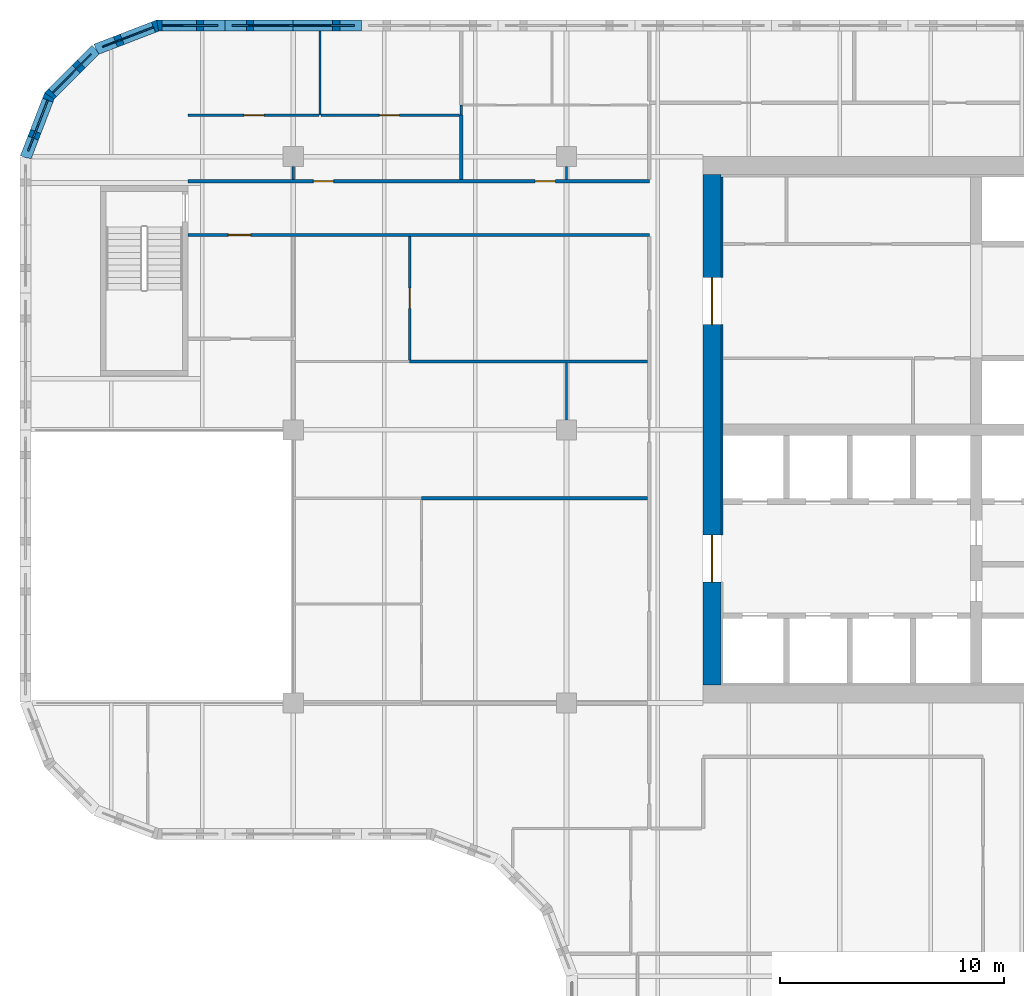
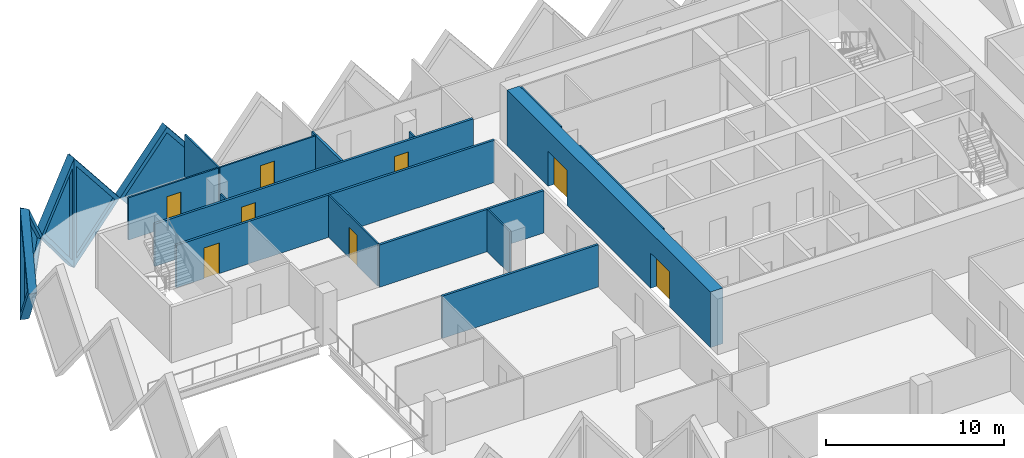
# One storey, part 8 of 21: 21 walls, 8 doors, 5 plates, 13 openings.
"""IFC4 building model written with IfcOpenShell, lengths in metres."""

from ifc_helpers import new_model, si_unit, direction, frame, frame_2d, origin, place, context, subcontext, project, spatial, polyline, rectangle, outline, extrude, faceted_brep, source, transform, mapped, material, layer, layer_set, type_object, element, fill, save


model = new_model("IFC4")

# Units and contexts
model_context = context("Model", 3, precision=1e-05, world=origin(), true_north=direction((0.0, 1.0)))
body_context = subcontext(model_context, "Body", "Model", "MODEL_VIEW")
ifc_project = project(units=[si_unit("LENGTHUNIT", "METRE"), si_unit("AREAUNIT", "SQUARE_METRE"), si_unit("VOLUMEUNIT", "CUBIC_METRE"), si_unit("PLANEANGLEUNIT", "RADIAN"), si_unit("MASSUNIT", "GRAM", prefix="KILO")], contexts=[model_context])

# Site, building, storey
site_placement = place(None, origin())
site = spatial("IfcSite", under=ifc_project, at=site_placement, CompositionType="ELEMENT")
building_placement = place(site_placement, origin())
building = spatial("IfcBuilding", under=site, at=building_placement, Name="Tessera Gate Towers", CompositionType="ELEMENT")
storey_placement = place(building_placement, frame((0.0, 0.0, 91.39990234375)))
storey = spatial("IfcBuildingStorey", under=building, at=storey_placement, Name="L22", CompositionType="ELEMENT", Elevation=91.39990234375)

# Wall, openings, doors
ifc_material_1 = material(Name="Concrete C60/75", Category="concrete")
ifc_layer_1 = layer(ifc_material_1, 0.800048828125)
ifc_layer_set_1 = layer_set([ifc_layer_1], Name="CORE SHEAR WALL 800 C60/75")
wall_type_1 = type_object("IfcWallType", Name="CORE SHEAR WALL 800 C60/75", PredefinedType="SHEAR", material=ifc_layer_set_1)
wall_1_placement = place(storey_placement, frame((30.89990234375, 25.199951171875, 0.0), z_axis=(0.0, 0.0, 1.0), x_axis=(0.0, 1.0, 0.0)))
wall_1 = element("IfcWall", 1, at=wall_1_placement, inside=storey, type_object=wall_type_1, Name="Core wall W L22", PredefinedType="SHEAR", context=body_context, shape_type="SweptSolid", body=[
    extrude(rectangle(XDim=22.800048828125, YDim=0.800048828125, at=frame_2d((11.39990234375, 0.0))), origin(), (0.0, 0.0, 1.0), 3.800048828125),
])
shared_shape_1 = source(origin(), body_context, "Body", "SweptSolid", [
    extrude(rectangle(XDim=2.10009765625, YDim=2.39990234375, at=frame_2d((1.050048828125, 1.199951171875))), frame((0.0, 0.409912109375, 0.0), z_axis=(0.0, -1.0, 0.0), x_axis=(1.0, 0.0, 0.0)), (0.0, 0.0, 1.0), 0.820068359375),
])
opening_1_placement = place(wall_1_placement, frame((4.60009765625, 0.0, 0.0)))
opening_1 = element("IfcOpeningElement", 2, at=opening_1_placement, cuts=wall_1, Name="Opening DD-T1-15-02", PredefinedType="OPENING", context=body_context, shape_type="MappedRepresentation", body=[
    mapped(shared_shape_1, transform((0.0, 0.0, 0.0), scale=1.0)),
])
opening_2_placement = place(wall_1_placement, frame((16.10009765625, 0.0, 0.0)))
opening_2 = element("IfcOpeningElement", 3, at=opening_2_placement, cuts=wall_1, Name="Opening DD-T1-15-03", PredefinedType="OPENING", context=body_context, shape_type="MappedRepresentation", body=[
    mapped(shared_shape_1, transform((0.0, 0.0, 0.0), scale=1.0)),
])
ifc_material_2 = material(Name="Hollow steel fire door", Category="steel")
door_type_1 = type_object("IfcDoorType", Name="CORE DOOR DD 2100x2400", OperationType="NOTDEFINED", PredefinedType="DOOR", material=ifc_material_2)
shared_shape_2 = source(origin(), body_context, "Body", "SweptSolid", [
    extrude(rectangle(XDim=2.10009765625, YDim=2.39990234375, at=frame_2d((1.050048828125, 1.199951171875))), frame((0.0, 0.02490234375, 0.0), z_axis=(0.0, -1.0, 0.0), x_axis=(1.0, 0.0, 0.0)), (0.0, 0.0, 1.0), 0.050048828125),
])
door_1_placement = place(opening_1_placement, origin())
door_1 = element("IfcDoor", 4, at=door_1_placement, inside=storey, type_object=door_type_1, Name="Core entrance door", OperationType="DOUBLE_DOOR_SINGLE_SWING", OverallHeight=2.39990234375, OverallWidth=2.10009765625, PredefinedType="DOOR", context=body_context, shape_type="MappedRepresentation", body=[
    mapped(shared_shape_2, transform((0.0, 0.0, 0.0), scale=1.0)),
])
fill(opening_1, door_1)
door_2_placement = place(opening_2_placement, origin())
door_2 = element("IfcDoor", 5, at=door_2_placement, inside=storey, type_object=door_type_1, Name="Core entrance door", OperationType="DOUBLE_DOOR_SINGLE_SWING", OverallHeight=2.39990234375, OverallWidth=2.10009765625, PredefinedType="DOOR", context=body_context, shape_type="MappedRepresentation", body=[
    mapped(shared_shape_2, transform((0.0, 0.0, 0.0), scale=1.0)),
])
fill(opening_2, door_2)

# Walls
ifc_material_3 = material(Name="Concrete C60/75", Category="concrete")
ifc_layer_2 = layer(ifc_material_3, 0.10009765625)
ifc_layer_set_2 = layer_set([ifc_layer_2], Name="CORE WALL THICKENING 100")
wall_type_2 = type_object("IfcWallType", Name="CORE WALL THICKENING 100", PredefinedType="SOLIDWALL", material=ifc_layer_set_2)
wall_2_placement = place(storey_placement, frame((31.35009765625, 31.89990234375, 0.0), z_axis=(0.0, 0.0, 1.0), x_axis=(0.0, 1.0, 0.0)))
element("IfcWall", 6, at=wall_2_placement, inside=storey, type_object=wall_type_2, Name="Core wall thickening W L22", PredefinedType="SOLIDWALL", context=body_context, shape_type="SweptSolid", body=[
    extrude(rectangle(XDim=9.400146484375, YDim=0.10009765625, at=frame_2d((4.7001953125, 0.0))), origin(), (0.0, 0.0, 1.0), 3.800048828125),
])
wall_3_placement = place(storey_placement, frame((31.35009765625, 43.39990234375, 0.0), z_axis=(0.0, 0.0, 1.0), x_axis=(0.0, 1.0, 0.0)))
element("IfcWall", 7, at=wall_3_placement, inside=storey, type_object=wall_type_2, Name="Core wall thickening W L22", PredefinedType="SOLIDWALL", context=body_context, shape_type="SweptSolid", body=[
    extrude(rectangle(XDim=4.5, YDim=0.10009765625, at=frame_2d((2.25, 0.0))), origin(), (0.0, 0.0, 1.0), 3.800048828125),
])

# Wall, opening, door
ifc_material_4 = material(Name="Gypsum board on steel studs, mineral wool", Category="steel")
ifc_layer_3 = layer(ifc_material_4, 0.14990234375)
ifc_layer_set_3 = layer_set([ifc_layer_3], Name="CORRIDOR WALL 150")
wall_type_3 = type_object("IfcWallType", Name="CORRIDOR WALL 150", PredefinedType="PARTITIONING", material=ifc_layer_set_3)
wall_4_placement = place(storey_placement, frame((28.10009765625, 45.300048828125, 0.0), z_axis=(0.0, 0.0, 1.0), x_axis=(-1.0, 0.0, 0.0)))
wall_4 = element("IfcWall", 8, at=wall_4_placement, inside=storey, type_object=wall_type_3, Name="T1-L22-PW-041", PredefinedType="PARTITIONING", context=body_context, shape_type="SweptSolid", body=[
    extrude(rectangle(XDim=20.60009765625, YDim=0.14990234375, at=frame_2d((10.300048828125, 0.0))), origin(), (0.0, 0.0, 1.0), 2.89501953125),
])
shared_shape_3 = source(origin(), body_context, "Body", "SweptSolid", [
    extrude(rectangle(XDim=1.0, YDim=2.10009765625, at=frame_2d((0.5, 1.050048828125))), frame((0.0, 0.0849609375, 0.0), z_axis=(0.0, -1.0, 0.0), x_axis=(1.0, 0.0, 0.0)), (0.0, 0.0, 1.0), 0.169921875),
])
opening_3_placement = place(wall_4_placement, frame((17.800048828125, 0.0, 0.0)))
opening_3 = element("IfcOpeningElement", 9, at=opening_3_placement, cuts=wall_4, Name="Opening D2100FD60-A08-01", PredefinedType="OPENING", context=body_context, shape_type="MappedRepresentation", body=[
    mapped(shared_shape_3, transform((0.0, 0.0, 0.0), scale=1.0)),
])
ifc_material_5 = material(Name="Timber door leaf in steel frame", Category="steel")
door_type_2 = type_object("IfcDoorType", Name="TENANCY ENTRANCE DOOR 1000 FD60", OperationType="NOTDEFINED", PredefinedType="DOOR", material=ifc_material_5)
shared_shape_4 = source(origin(), body_context, "Body", "SweptSolid", [
    extrude(rectangle(XDim=1.0, YDim=2.10009765625, at=frame_2d((0.5, 1.050048828125))), frame((0.0, 0.02490234375, 0.0), z_axis=(0.0, -1.0, 0.0), x_axis=(1.0, 0.0, 0.0)), (0.0, 0.0, 1.0), 0.050048828125),
])
door_3_placement = place(opening_3_placement, origin())
door_3 = element("IfcDoor", 10, at=door_3_placement, inside=storey, type_object=door_type_2, Name="T1-L22-PD-007", OperationType="SINGLE_SWING_RIGHT", OverallHeight=2.10009765625, OverallWidth=1.0, PredefinedType="DOOR", context=body_context, shape_type="MappedRepresentation", body=[
    mapped(shared_shape_4, transform((0.0, 0.0, 0.0), scale=1.0)),
])
fill(opening_3, door_3)

# Wall, openings, doors
wall_5_placement = place(storey_placement, frame((7.5, 47.699951171875, 0.0), z_axis=(0.0, 0.0, 1.0), x_axis=(1.0, 0.0, 0.0)))
wall_5 = element("IfcWall", 11, at=wall_5_placement, inside=storey, type_object=wall_type_3, Name="T1-L22-PW-042", PredefinedType="PARTITIONING", context=body_context, shape_type="SweptSolid", body=[
    extrude(rectangle(XDim=20.60009765625, YDim=0.14990234375, at=frame_2d((10.300048828125, 0.0))), origin(), (0.0, 0.0, 1.0), 2.89501953125),
])
shared_shape_5 = source(origin(), body_context, "Body", "SweptSolid", [
    extrude(rectangle(XDim=0.89990234375, YDim=2.10009765625, at=frame_2d((0.449951171875, 1.050048828125))), frame((0.0, 0.0849609375, 0.0), z_axis=(0.0, -1.0, 0.0), x_axis=(1.0, 0.0, 0.0)), (0.0, 0.0, 1.0), 0.169921875),
])
opening_4_placement = place(wall_5_placement, frame((15.5009765625, 0.0, 0.0)))
opening_4 = element("IfcOpeningElement", 12, at=opening_4_placement, cuts=wall_5, Name="Opening D890FD60-A08-05", PredefinedType="OPENING", context=body_context, shape_type="MappedRepresentation", body=[
    mapped(shared_shape_5, transform((0.0, 0.0, 0.0), scale=1.0)),
])
opening_5_placement = place(wall_5_placement, frame((5.60009765625, 0.0, 0.0)))
opening_5 = element("IfcOpeningElement", 13, at=opening_5_placement, cuts=wall_5, Name="Opening D890FD60-A08-12", PredefinedType="OPENING", context=body_context, shape_type="MappedRepresentation", body=[
    mapped(shared_shape_5, transform((0.0, 0.0, 0.0), scale=1.0)),
])
ifc_material_6 = material(Name="Timber door leaf in steel frame", Category="steel")
door_type_3 = type_object("IfcDoorType", Name="CORRIDOR DOOR 900 FD60", OperationType="NOTDEFINED", PredefinedType="DOOR", material=ifc_material_6)
shared_shape_6 = source(origin(), body_context, "Body", "SweptSolid", [
    extrude(rectangle(XDim=0.89990234375, YDim=2.10009765625, at=frame_2d((0.449951171875, 1.050048828125))), frame((0.0, 0.02490234375, 0.0), z_axis=(0.0, -1.0, 0.0), x_axis=(1.0, 0.0, 0.0)), (0.0, 0.0, 1.0), 0.050048828125),
])
door_4_placement = place(opening_4_placement, origin())
door_4 = element("IfcDoor", 14, at=door_4_placement, inside=storey, type_object=door_type_3, Name="T1-L22-PD-020", OperationType="SINGLE_SWING_RIGHT", OverallHeight=2.10009765625, OverallWidth=0.89990234375, PredefinedType="DOOR", context=body_context, shape_type="MappedRepresentation", body=[
    mapped(shared_shape_6, transform((0.0, 0.0, 0.0), scale=1.0)),
])
fill(opening_4, door_4)
door_5_placement = place(opening_5_placement, origin())
door_5 = element("IfcDoor", 15, at=door_5_placement, inside=storey, type_object=door_type_3, Name="T1-L22-PD-027", OperationType="SINGLE_SWING_LEFT", OverallHeight=2.10009765625, OverallWidth=0.89990234375, PredefinedType="DOOR", context=body_context, shape_type="MappedRepresentation", body=[
    mapped(shared_shape_6, transform((0.0, 0.0, 0.0), scale=1.0)),
])
fill(opening_5, door_5)

# Wall, opening, door
ifc_material_7 = material(Name="Glass", Category="glass")
ifc_layer_4 = layer(ifc_material_7, 0.10009765625)
ifc_layer_set_4 = layer_set([ifc_layer_4], Name="GLAZED PARTITION 100")
wall_type_4 = type_object("IfcWallType", Name="GLAZED PARTITION 100", PredefinedType="PARTITIONING", material=ifc_layer_set_4)
wall_6_placement = place(storey_placement, frame((17.39990234375, 39.72607421875, 0.0), z_axis=(0.0, 0.0, 1.0), x_axis=(0.0, 1.0, 0.0)))
wall_6 = element("IfcWall", 16, at=wall_6_placement, inside=storey, type_object=wall_type_4, Name="T1-L22-PW-038", PredefinedType="PARTITIONING", context=body_context, shape_type="SweptSolid", body=[
    extrude(rectangle(XDim=5.498046875, YDim=0.10009765625, at=frame_2d((2.7490234375, 0.0))), origin(), (0.0, 0.0, 1.0), 2.89501953125),
])
shared_shape_7 = source(origin(), body_context, "Body", "SweptSolid", [
    extrude(rectangle(XDim=0.89990234375, YDim=2.10009765625, at=frame_2d((0.449951171875, 1.050048828125))), frame((0.0, 0.06005859375, 0.0), z_axis=(0.0, -1.0, 0.0), x_axis=(1.0, 0.0, 0.0)), (0.0, 0.0, 1.0), 0.1201171875),
])
opening_6_placement = place(wall_6_placement, frame((2.300048828125, 0.0, 0.0)))
opening_6 = element("IfcOpeningElement", 17, at=opening_6_placement, cuts=wall_6, Name="Opening D690-A08-06", PredefinedType="OPENING", context=body_context, shape_type="MappedRepresentation", body=[
    mapped(shared_shape_7, transform((0.0, 0.0, 0.0), scale=1.0)),
])
ifc_material_8 = material(Name="Glass in aluminium frame", Category="aluminium")
door_type_4 = type_object("IfcDoorType", Name="GLAZED DOOR 900 NOT RATED", OperationType="NOTDEFINED", PredefinedType="DOOR", material=ifc_material_8)
door_6_placement = place(opening_6_placement, origin())
door_6 = element("IfcDoor", 18, at=door_6_placement, inside=storey, type_object=door_type_4, Name="T1-L22-PD-011", OperationType="SINGLE_SWING_LEFT", OverallHeight=2.10009765625, OverallWidth=0.89990234375, PredefinedType="DOOR", context=body_context, shape_type="MappedRepresentation", body=[
    mapped(shared_shape_6, transform((0.0, 0.0, 0.0), scale=1.0)),
])
fill(opening_6, door_6)

wall_7_placement = place(storey_placement, frame((7.5, 50.64990234375, 0.0), z_axis=(0.0, 0.0, 1.0), x_axis=(1.0, 0.0, 0.0)))
wall_7 = element("IfcWall", 19, at=wall_7_placement, inside=storey, type_object=wall_type_4, Name="T1-L22-PW-047", PredefinedType="PARTITIONING", context=body_context, shape_type="SweptSolid", body=[
    extrude(rectangle(XDim=5.8427734375, YDim=0.10009765625, at=frame_2d((2.92138671875, 0.0))), origin(), (0.0, 0.0, 1.0), 2.89501953125),
])
opening_7_placement = place(wall_7_placement, frame((2.5, 0.0, 0.0)))
opening_7 = element("IfcOpeningElement", 20, at=opening_7_placement, cuts=wall_7, Name="Opening D690-A08-07", PredefinedType="OPENING", context=body_context, shape_type="MappedRepresentation", body=[
    mapped(shared_shape_7, transform((0.0, 0.0, 0.0), scale=1.0)),
])
door_7_placement = place(opening_7_placement, origin())
door_7 = element("IfcDoor", 21, at=door_7_placement, inside=storey, type_object=door_type_4, Name="T1-L22-PD-013", OperationType="SINGLE_SWING_LEFT", OverallHeight=2.10009765625, OverallWidth=0.89990234375, PredefinedType="DOOR", context=body_context, shape_type="MappedRepresentation", body=[
    mapped(shared_shape_6, transform((0.0, 0.0, 0.0), scale=1.0)),
])
fill(opening_7, door_7)

wall_8_placement = place(storey_placement, frame((13.444580078125, 50.64990234375, 0.0), z_axis=(0.0, 0.0, 1.0), x_axis=(1.0, 0.0, 0.0)))
wall_8 = element("IfcWall", 22, at=wall_8_placement, inside=storey, type_object=wall_type_4, Name="T1-L22-PW-049", PredefinedType="PARTITIONING", context=body_context, shape_type="SweptSolid", body=[
    extrude(rectangle(XDim=6.179443359375, YDim=0.10009765625, at=frame_2d((3.08984375, 0.0))), origin(), (0.0, 0.0, 1.0), 2.89501953125),
])
opening_8_placement = place(wall_8_placement, frame((2.60009765625, 0.0, 0.0)))
opening_8 = element("IfcOpeningElement", 23, at=opening_8_placement, cuts=wall_8, Name="Opening D690-A08-09", PredefinedType="OPENING", context=body_context, shape_type="MappedRepresentation", body=[
    mapped(shared_shape_7, transform((0.0, 0.0, 0.0), scale=1.0)),
])
door_8_placement = place(opening_8_placement, origin())
door_8 = element("IfcDoor", 24, at=door_8_placement, inside=storey, type_object=door_type_4, Name="T1-L22-PD-017", OperationType="SINGLE_SWING_LEFT", OverallHeight=2.10009765625, OverallWidth=0.89990234375, PredefinedType="DOOR", context=body_context, shape_type="MappedRepresentation", body=[
    mapped(shared_shape_6, transform((0.0, 0.0, 0.0), scale=1.0)),
])
fill(opening_8, door_8)

# Walls
wall_9_placement = place(storey_placement, frame((19.699951171875, 50.65087890625, 0.0), z_axis=(0.0, 0.0, 1.0), x_axis=(0.0, 1.0, 0.0)))
element("IfcWall", 25, at=wall_9_placement, inside=storey, type_object=wall_type_4, Name="T1-L22-PW-050", PredefinedType="PARTITIONING", context=body_context, shape_type="SweptSolid", body=[
    extrude(rectangle(XDim=0.4482421875, YDim=0.10009765625, at=frame_2d((0.22412109375, 0.0))), origin(), (0.0, 0.0, 1.0), 2.89501953125),
])
ifc_material_9 = material(Name="Gypsum board on steel studs", Category="steel")
ifc_layer_5 = layer(ifc_material_9, 0.10009765625)
ifc_layer_set_5 = layer_set([ifc_layer_5], Name="PARTITION 100")
wall_type_5 = type_object("IfcWallType", Name="PARTITION 100", PredefinedType="PARTITIONING", material=ifc_layer_set_5)
wall_10_placement = place(storey_placement, frame((24.39990234375, 37.050048828125, 0.0), z_axis=(0.0, 0.0, 1.0), x_axis=(0.0, 1.0, 0.0)))
element("IfcWall", 26, at=wall_10_placement, inside=storey, type_object=wall_type_5, Name="T1-L22-PW-035", PredefinedType="PARTITIONING", context=body_context, shape_type="SweptSolid", body=[
    extrude(rectangle(XDim=2.52490234375, YDim=0.10009765625, at=frame_2d((1.262451171875, 0.0))), origin(), (0.0, 0.0, 1.0), 2.89501953125),
])
for number, where, z_axis, x_axis, name in (
    (27, (12.199951171875, 48.35009765625, 0.0), (0.0, 0.0, 1.0), (0.0, -1.0, 0.0), "T1-L22-PW-045"),
    (28, (24.39990234375, 48.35009765625, 0.0), (0.0, 0.0, 1.0), (0.0, -1.0, 0.0), "T1-L22-PW-046"),
):
    element("IfcWall", number, at=place(storey_placement, frame(where, z_axis=z_axis, x_axis=x_axis)), inside=storey, type_object=wall_type_5, Name=name, PredefinedType="PARTITIONING", context=body_context, shape_type="SweptSolid", body=[
        extrude(rectangle(XDim=0.5751953125, YDim=0.10009765625, at=frame_2d((0.28759765625, 0.0))), origin(), (0.0, 0.0, 1.0), 2.89501953125),
    ])
wall_11_placement = place(storey_placement, frame((13.39404296875, 50.64990234375, 0.0), z_axis=(0.0, 0.0, 1.0), x_axis=(0.0, 1.0, 0.0)))
element("IfcWall", 29, at=wall_11_placement, inside=storey, type_object=wall_type_5, Name="T1-L22-PW-048", PredefinedType="PARTITIONING", context=body_context, shape_type="SweptSolid", body=[
    extrude(rectangle(XDim=3.75, YDim=0.10009765625, at=frame_2d((1.875, 0.0))), origin(), (0.0, 0.0, 1.0), 2.89501953125),
])
ifc_material_10 = material(Name="Gypsum board on steel studs, mineral wool", Category="steel")
ifc_layer_6 = layer(ifc_material_10, 0.14990234375)
ifc_layer_set_6 = layer_set([ifc_layer_6], Name="TENANCY WALL 150")
wall_type_6 = type_object("IfcWallType", Name="TENANCY WALL 150", PredefinedType="PARTITIONING", material=ifc_layer_set_6)
wall_12_placement = place(storey_placement, frame((17.925048828125, 33.550048828125, 0.0), z_axis=(0.0, 0.0, 1.0), x_axis=(1.0, 0.0, 0.0)))
element("IfcWall", 30, at=wall_12_placement, inside=storey, type_object=wall_type_6, Name="T1-L22-PW-033", PredefinedType="PARTITIONING", context=body_context, shape_type="SweptSolid", body=[
    extrude(rectangle(XDim=10.098876953125, YDim=0.14990234375, at=frame_2d((5.04931640625, 0.0))), origin(), (0.0, 0.0, 1.0), 2.89501953125),
])
wall_13_placement = place(storey_placement, frame((17.39990234375, 39.64990234375, 0.0), z_axis=(0.0, 0.0, 1.0), x_axis=(1.0, 0.0, 0.0)))
element("IfcWall", 31, at=wall_13_placement, inside=storey, type_object=wall_type_6, Name="T1-L22-PW-037", PredefinedType="PARTITIONING", context=body_context, shape_type="SweptSolid", body=[
    extrude(rectangle(XDim=10.6240234375, YDim=0.14990234375, at=frame_2d((5.31201171875, 0.0))), origin(), (0.0, 0.0, 1.0), 2.89501953125),
])
wall_14_placement = place(storey_placement, frame((19.699951171875, 47.77587890625, 0.0), z_axis=(0.0, 0.0, 1.0), x_axis=(0.0, 1.0, 0.0)))
element("IfcWall", 32, at=wall_14_placement, inside=storey, type_object=wall_type_6, Name="T1-L22-PW-043", PredefinedType="PARTITIONING", context=body_context, shape_type="SweptSolid", body=[
    extrude(rectangle(XDim=2.8740234375, YDim=0.14990234375, at=frame_2d((1.43701171875, 0.0))), origin(), (0.0, 0.0, 1.0), 2.89501953125),
])

# Wall, opening, plate
ifc_material_11 = material(Name="Precast concrete C60/75 white", Category="concrete")
ifc_layer_7 = layer(ifc_material_11, 0.5)
ifc_layer_set_7 = layer_set([ifc_layer_7], Name="TS1 tessera")
wall_type_7 = type_object("IfcWallType", Name="TS1 tessera", PredefinedType="SOLIDWALL", material=ifc_layer_set_7)
shared_shape_8 = source(origin(), body_context, "Body", "SweptSolid", [
    extrude(outline(polyline([(3.050048828125, 0.0), (6.10009765625, 3.7998046875), (3.050048828125, 7.599853515625), (0.0, 3.7998046875), (3.050048828125, 0.0)])), frame((0.0, 0.25, 0.0), z_axis=(0.0, -1.0, 0.0), x_axis=(1.0, 0.0, 0.0)), (0.0, 0.0, 1.0), 0.5),
])
wall_15_placement = place(storey_placement, frame((15.25, 54.64990234375, -3.7998046875), z_axis=(0.0, 0.0, 1.0), x_axis=(-1.0, 0.0, 0.0)))
wall_15 = element("IfcWall", 33, at=wall_15_placement, inside=storey, type_object=wall_type_7, Name="Precast tessera T1 TS1-0361", PredefinedType="SOLIDWALL", context=body_context, shape_type="MappedRepresentation", body=[
    mapped(shared_shape_8, transform((0.0, 0.0, 0.0), scale=1.0)),
])
shared_shape_9 = source(origin(), body_context, "Body", "SweptSolid", [
    extrude(outline(polyline([(3.050048828125, 0.3994140625), (5.779541015625, 3.7998046875), (3.050048828125, 7.200439453125), (0.320556640625, 3.7998046875), (3.050048828125, 0.3994140625)])), frame((0.0, 0.260009765625, 0.0), z_axis=(0.0, -1.0, 0.0), x_axis=(1.0, 0.0, 0.0)), (0.0, 0.0, 1.0), 0.52001953125),
])
opening_9_placement = place(wall_15_placement, origin())
opening_9 = element("IfcOpeningElement", 34, at=opening_9_placement, cuts=wall_15, Name="Opening T1-PL2-0731", PredefinedType="OPENING", context=body_context, shape_type="MappedRepresentation", body=[
    mapped(shared_shape_9, transform((0.0, 0.0, 0.0), scale=1.0)),
])
ifc_material_12 = material(Name="Low-e laminated glass", Category="glass")
ifc_layer_8 = layer(ifc_material_12, 0.06005859375)
ifc_layer_set_8 = layer_set([ifc_layer_8], Name="PL2 rhombic pane")
plate_type = type_object("IfcPlateType", Name="PL2 rhombic pane", PredefinedType="SHEET", material=ifc_layer_set_8)
shared_shape_10 = source(origin(), body_context, "Body", "SweptSolid", [
    extrude(outline(polyline([(3.050048828125, 0.3994140625), (5.779541015625, 3.7998046875), (3.050048828125, 7.200439453125), (0.320556640625, 3.7998046875), (3.050048828125, 0.3994140625)])), frame((0.0, 0.030029296875, 0.0), z_axis=(0.0, -1.0, 0.0), x_axis=(1.0, 0.0, 0.0)), (0.0, 0.0, 1.0), 0.06005859375),
])
plate_1_placement = place(opening_9_placement, origin())
plate_1 = element("IfcPlate", 35, at=plate_1_placement, inside=storey, type_object=plate_type, Name="Glass pane T1 PL2-0731", PredefinedType="SHEET", context=body_context, shape_type="MappedRepresentation", body=[
    mapped(shared_shape_10, transform((0.0, 0.0, 0.0), scale=1.0)),
])
fill(opening_9, plate_1)

ifc_material_13 = material(Name="Precast concrete C60/75 white", Category="concrete")
ifc_layer_9 = layer(ifc_material_13, 0.5)
ifc_layer_set_9 = layer_set([ifc_layer_9], Name="TS3 corner tessera")
wall_type_8 = type_object("IfcWallType", Name="TS3 corner tessera", PredefinedType="SOLIDWALL", material=ifc_layer_set_9)
shared_shape_11 = source(origin(), body_context, "Body", "Brep", [
    faceted_brep([(3.00341796875, -0.25, 0.0), (3.050048828125, -0.25, 0.06005859375), (3.050048828125, -0.25, 7.539794921875), (3.00341796875, -0.25, 7.599853515625), (0.0, -0.25, 3.7998046875), (0.0, 0.25, 3.7998046875), (2.956787109375, 0.25, 7.541015625), (2.956787109375, 0.25, 0.058837890625), (3.00341796875, 0.000244140625, 0.0), (3.00341796875, 0.000244140625, 7.599853515625)], [[[0, 1, 2, 3, 4]], [[5, 6, 7]], [[1, 0, 8]], [[9, 3, 2]], [[6, 5, 4, 3, 9]], [[5, 7, 8, 0, 4]], [[1, 8, 7, 6, 9, 2]]]),
])
wall_16_placement = place(storey_placement, frame((9.14990234375, 54.64990234375, -3.7998046875), z_axis=(0.0, 0.0, 1.0), x_axis=(-1.0, 0.0, 0.0)))
wall_16 = element("IfcWall", 36, at=wall_16_placement, inside=storey, type_object=wall_type_8, Name="Precast corner tessera T1 TS3-0491", PredefinedType="SOLIDWALL", context=body_context, shape_type="MappedRepresentation", body=[
    mapped(shared_shape_11, transform((0.0, 0.0, 0.0), scale=1.0)),
])
shared_shape_12 = source(origin(), body_context, "Body", "SweptSolid", [
    extrude(outline(polyline([(2.803466796875, 6.943603515625), (0.318603515625, 3.7998046875), (2.803466796875, 0.656005859375), (2.803466796875, 6.943603515625)])), frame((0.0, 0.260009765625, 0.0), z_axis=(0.0, -1.0, 0.0), x_axis=(1.0, 0.0, 0.0)), (0.0, 0.0, 1.0), 0.52001953125),
])
opening_10_placement = place(wall_16_placement, origin())
opening_10 = element("IfcOpeningElement", 37, at=opening_10_placement, cuts=wall_16, Name="Opening T1-PL2-0732", PredefinedType="OPENING", context=body_context, shape_type="MappedRepresentation", body=[
    mapped(shared_shape_12, transform((0.0, 0.0, 0.0), scale=1.0)),
])
shared_shape_13 = source(origin(), body_context, "Body", "SweptSolid", [
    extrude(outline(polyline([(2.803466796875, 6.943603515625), (0.318603515625, 3.7998046875), (2.803466796875, 0.656005859375), (2.803466796875, 6.943603515625)])), frame((0.0, 0.030029296875, 0.0), z_axis=(0.0, -1.0, 0.0), x_axis=(1.0, 0.0, 0.0)), (0.0, 0.0, 1.0), 0.06005859375),
])
plate_2_placement = place(opening_10_placement, origin())
plate_2 = element("IfcPlate", 38, at=plate_2_placement, inside=storey, type_object=plate_type, Name="Glass pane T1 PL2-0732", PredefinedType="SHEET", context=body_context, shape_type="MappedRepresentation", body=[
    mapped(shared_shape_13, transform((0.0, 0.0, 0.0), scale=1.0)),
])
fill(opening_10, plate_2)

shared_shape_14 = source(origin(), body_context, "Body", "Brep", [
    faceted_brep([(0.046630859375, -0.25, 0.0), (2.9970703125, -0.25, 3.7998046875), (0.046630859375, -0.25, 7.599853515625), (0.0, -0.25, 7.541015625), (0.0, -0.25, 0.058837890625), (0.09326171875, 0.25, 7.539794921875), (2.9443359375, 0.25, 3.867919921875), (2.9443359375, 0.25, 3.731689453125), (0.09326171875, 0.25, 0.06005859375), (2.9970703125, 0.00048828125, 3.7998046875), (0.046630859375, 0.0, 0.0), (0.046630859375, 0.0, 7.599853515625)], [[[0, 1, 2, 3, 4]], [[5, 6, 7, 8]], [[8, 7, 9, 1, 0, 10]], [[6, 5, 11, 2, 1, 9]], [[3, 2, 11]], [[10, 0, 4]], [[8, 10, 4, 3, 11, 5]], [[9, 7, 6]]]),
])
wall_17_placement = place(storey_placement, frame((6.18994140625, 54.666748046875, -3.7998046875), z_axis=(0.0, 0.0, 1.0), x_axis=(-0.932990326376, -0.359901446078, 0.0)))
wall_17 = element("IfcWall", 39, at=wall_17_placement, inside=storey, type_object=wall_type_8, Name="Precast corner tessera T1 TS3-0492", PredefinedType="SOLIDWALL", context=body_context, shape_type="MappedRepresentation", body=[
    mapped(shared_shape_14, transform((0.0, 0.0, 0.0), scale=1.0)),
])
shared_shape_15 = source(origin(), body_context, "Body", "SweptSolid", [
    extrude(outline(polyline([(0.24658203125, 0.6650390625), (2.6806640625, 3.7998046875), (0.24658203125, 6.9345703125), (0.24658203125, 0.6650390625)])), frame((0.0, 0.260009765625, 0.0), z_axis=(0.0, -1.0, 0.0), x_axis=(1.0, 0.0, 0.0)), (0.0, 0.0, 1.0), 0.52001953125),
])
opening_11_placement = place(wall_17_placement, origin())
opening_11 = element("IfcOpeningElement", 40, at=opening_11_placement, cuts=wall_17, Name="Opening T1-PL2-0733", PredefinedType="OPENING", context=body_context, shape_type="MappedRepresentation", body=[
    mapped(shared_shape_15, transform((0.0, 0.0, 0.0), scale=1.0)),
])
shared_shape_16 = source(origin(), body_context, "Body", "SweptSolid", [
    extrude(outline(polyline([(0.24658203125, 0.6650390625), (2.6806640625, 3.7998046875), (0.24658203125, 6.9345703125), (0.24658203125, 0.6650390625)])), frame((0.0, 0.030029296875, 0.0), z_axis=(0.0, -1.0, 0.0), x_axis=(1.0, 0.0, 0.0)), (0.0, 0.0, 1.0), 0.06005859375),
])
plate_3_placement = place(opening_11_placement, origin())
plate_3 = element("IfcPlate", 41, at=plate_3_placement, inside=storey, type_object=plate_type, Name="Glass pane T1 PL2-0733", PredefinedType="SHEET", context=body_context, shape_type="MappedRepresentation", body=[
    mapped(shared_shape_16, transform((0.0, 0.0, 0.0), scale=1.0)),
])
fill(opening_11, plate_3)

shared_shape_17 = source(origin(), body_context, "Body", "Brep", [
    faceted_brep([(0.052978515625, -0.25, 0.0), (3.00341796875, -0.25, 3.7998046875), (0.052978515625, -0.25, 7.599853515625), (0.0, -0.25, 7.531494140625), (0.0, -0.25, 0.068359375), (0.10595703125, 0.25, 7.53173828125), (2.95703125, 0.25, 3.859619140625), (2.95703125, 0.25, 3.739990234375), (0.10595703125, 0.25, 0.068115234375), (3.00341796875, 0.00048828125, 3.7998046875), (0.052978515625, 0.0, 0.0), (0.052978515625, 0.0, 7.599853515625)], [[[0, 1, 2, 3, 4]], [[5, 6, 7, 8]], [[8, 7, 9, 1, 0, 10]], [[6, 5, 11, 2, 1, 9]], [[3, 2, 11]], [[10, 0, 4]], [[8, 10, 4, 3, 11, 5]], [[9, 7, 6]]]),
])
wall_18_placement = place(storey_placement, frame((1.3310546875, 51.5556640625, -3.7998046875), z_axis=(0.0, 0.0, 1.0), x_axis=(-0.35992665181, -0.932980602862, 0.0)))
wall_18 = element("IfcWall", 42, at=wall_18_placement, inside=storey, type_object=wall_type_8, Name="Precast corner tessera T1 TS3-0494", PredefinedType="SOLIDWALL", context=body_context, shape_type="MappedRepresentation", body=[
    mapped(shared_shape_17, transform((0.0, 0.0, 0.0), scale=1.0)),
])
shared_shape_18 = source(origin(), body_context, "Body", "SweptSolid", [
    extrude(outline(polyline([(0.2529296875, 0.6650390625), (2.68701171875, 3.7998046875), (0.2529296875, 6.9345703125), (0.2529296875, 0.6650390625)])), frame((0.0, 0.260009765625, 0.0), z_axis=(0.0, -1.0, 0.0), x_axis=(1.0, 0.0, 0.0)), (0.0, 0.0, 1.0), 0.52001953125),
])
opening_12_placement = place(wall_18_placement, origin())
opening_12 = element("IfcOpeningElement", 43, at=opening_12_placement, cuts=wall_18, Name="Opening T1-PL2-0735", PredefinedType="OPENING", context=body_context, shape_type="MappedRepresentation", body=[
    mapped(shared_shape_18, transform((0.0, 0.0, 0.0), scale=1.0)),
])
shared_shape_19 = source(origin(), body_context, "Body", "SweptSolid", [
    extrude(outline(polyline([(0.2529296875, 0.6650390625), (2.68701171875, 3.7998046875), (0.2529296875, 6.9345703125), (0.2529296875, 0.6650390625)])), frame((0.0, 0.030029296875, 0.0), z_axis=(0.0, -1.0, 0.0), x_axis=(1.0, 0.0, 0.0)), (0.0, 0.0, 1.0), 0.06005859375),
])
plate_4_placement = place(opening_12_placement, origin())
plate_4 = element("IfcPlate", 44, at=plate_4_placement, inside=storey, type_object=plate_type, Name="Glass pane T1 PL2-0735", PredefinedType="SHEET", context=body_context, shape_type="MappedRepresentation", body=[
    mapped(shared_shape_19, transform((0.0, 0.0, 0.0), scale=1.0)),
])
fill(opening_12, plate_4)

shared_shape_20 = source(origin(), body_context, "Body", "Brep", [
    faceted_brep([(2.944091796875, -0.25, 0.0), (2.9970703125, -0.25, 0.068115234375), (2.9970703125, -0.25, 7.53173828125), (2.944091796875, -0.25, 7.599853515625), (0.0, -0.25, 3.7998046875), (0.052978515625, 0.25, 3.8681640625), (2.89111328125, 0.25, 7.53173828125), (2.89111328125, 0.25, 0.068115234375), (0.052978515625, 0.25, 3.7314453125), (2.944091796875, 0.000244140625, 0.0), (2.944091796875, 0.000244140625, 7.599853515625), (0.0, 0.0, 3.7998046875)], [[[0, 1, 2, 3, 4]], [[5, 6, 7, 8]], [[1, 0, 9]], [[10, 3, 2]], [[6, 5, 11, 4, 3, 10]], [[8, 7, 9, 0, 4, 11]], [[8, 11, 5]], [[1, 9, 7, 6, 10, 2]]]),
])
wall_19_placement = place(storey_placement, frame((3.393798828125, 53.588134765625, -3.7998046875), z_axis=(0.0, 0.0, 1.0), x_axis=(-0.707106781187, -0.707106781187, 0.0)))
wall_19 = element("IfcWall", 45, at=wall_19_placement, inside=storey, type_object=wall_type_8, Name="Precast corner tessera T1 TS3-0493", PredefinedType="SOLIDWALL", context=body_context, shape_type="MappedRepresentation", body=[
    mapped(shared_shape_20, transform((0.0, 0.0, 0.0), scale=1.0)),
])
shared_shape_21 = source(origin(), body_context, "Body", "SweptSolid", [
    extrude(outline(polyline([(2.744140625, 6.93359375), (0.316162109375, 3.7998046875), (2.744140625, 0.666259765625), (2.744140625, 6.93359375)])), frame((0.0, 0.260009765625, 0.0), z_axis=(0.0, -1.0, 0.0), x_axis=(1.0, 0.0, 0.0)), (0.0, 0.0, 1.0), 0.52001953125),
])
opening_13_placement = place(wall_19_placement, origin())
opening_13 = element("IfcOpeningElement", 46, at=opening_13_placement, cuts=wall_19, Name="Opening T1-PL2-0734", PredefinedType="OPENING", context=body_context, shape_type="MappedRepresentation", body=[
    mapped(shared_shape_21, transform((0.0, 0.0, 0.0), scale=1.0)),
])
shared_shape_22 = source(origin(), body_context, "Body", "SweptSolid", [
    extrude(outline(polyline([(2.744140625, 6.93359375), (0.316162109375, 3.7998046875), (2.744140625, 0.666259765625), (2.744140625, 6.93359375)])), frame((0.0, 0.030029296875, 0.0), z_axis=(0.0, -1.0, 0.0), x_axis=(1.0, 0.0, 0.0)), (0.0, 0.0, 1.0), 0.06005859375),
])
plate_5_placement = place(opening_13_placement, origin())
plate_5 = element("IfcPlate", 47, at=plate_5_placement, inside=storey, type_object=plate_type, Name="Glass pane T1 PL2-0734", PredefinedType="SHEET", context=body_context, shape_type="MappedRepresentation", body=[
    mapped(shared_shape_22, transform((0.0, 0.0, 0.0), scale=1.0)),
])
fill(opening_13, plate_5)

save(model, "model.ifc")
